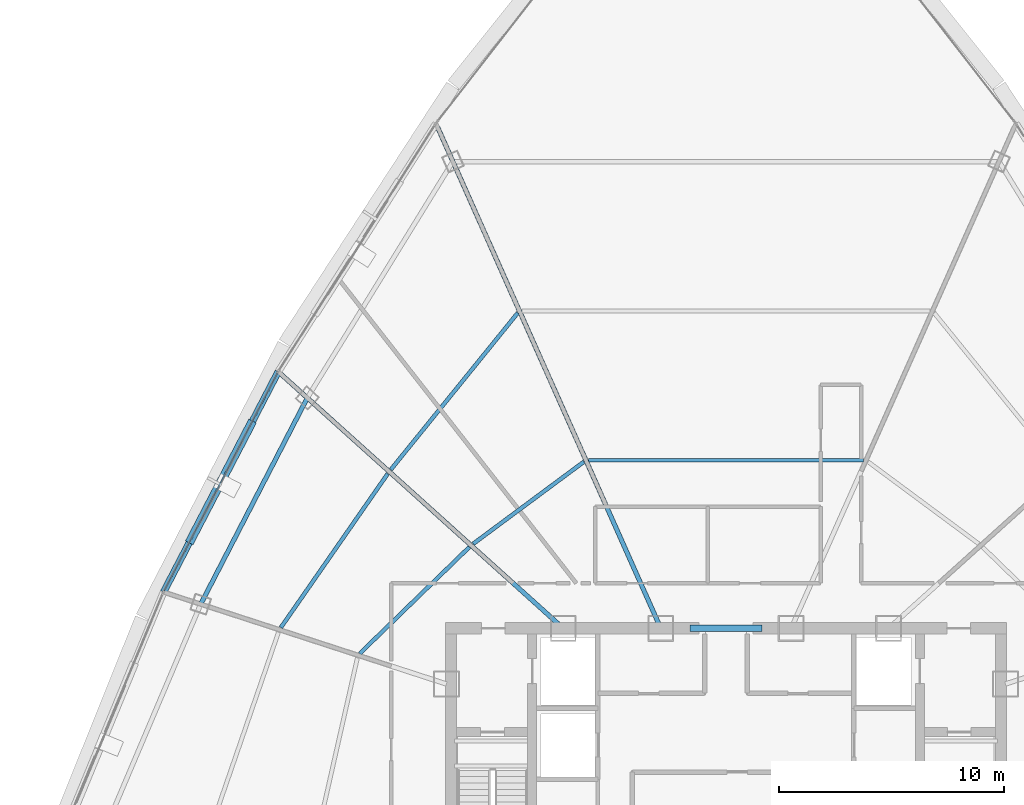
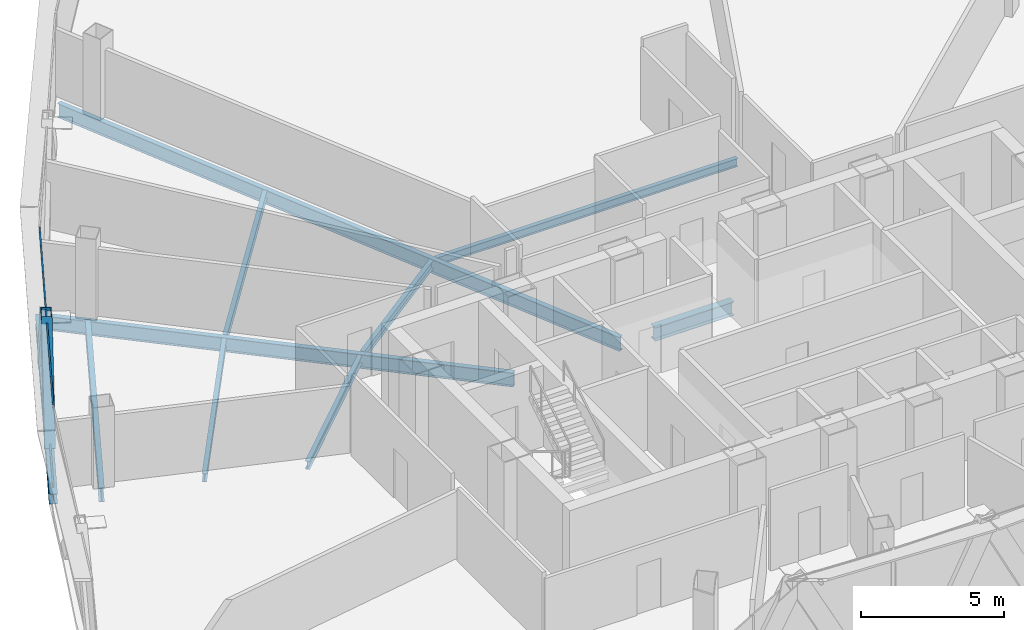
# One storey, part 9 of 33: 10 beams, 4 members, 1 element without a shape of its own.
"""IFC4 building model written with IfcOpenShell, lengths in metres."""

from ifc_helpers import new_model, si_unit, direction, frame, origin, origin_2d, place, context, subcontext, project, spatial, hollow_rectangle, i_section, extrude, source, transform, mapped, material, layer, layer_set, material_profile, profile_set, type_object, element, aggregate, save


model = new_model("IFC4")

# Units and contexts
model_context = context("Model", 3, precision=1e-05, world=origin(), true_north=direction((0.0, 1.0)))
body_context = subcontext(model_context, "Body", "Model", "MODEL_VIEW")
ifc_project = project(units=[si_unit("LENGTHUNIT", "METRE"), si_unit("AREAUNIT", "SQUARE_METRE"), si_unit("VOLUMEUNIT", "CUBIC_METRE"), si_unit("PLANEANGLEUNIT", "RADIAN"), si_unit("MASSUNIT", "GRAM", prefix="KILO"), si_unit("THERMODYNAMICTEMPERATUREUNIT", "KELVIN"), si_unit("POWERUNIT", "WATT")], contexts=[model_context])

# Site, building, storey
site_placement = place(None, origin())
site = spatial("IfcSite", under=ifc_project, at=site_placement, CompositionType="ELEMENT")
building_placement = place(site_placement, origin())
building = spatial("IfcBuilding", under=site, at=building_placement, Name="Yunzhuo Pagoda Commons", CompositionType="ELEMENT")
storey_placement = place(building_placement, frame((0.0, 0.0, 307.39990234375)))
storey = spatial("IfcBuildingStorey", under=building, at=storey_placement, Name="L77", CompositionType="ELEMENT", Elevation=307.39990234375)

# Beams
ifc_material_1 = material(Name="Structural steel Q420B", Category="steel")
ifc_material_profile_1 = material_profile(ifc_material_1, i_section(OverallWidth=0.300048828125, OverallDepth=0.587890625, WebThickness=0.011962890625, FlangeThickness=0.02001953125, at=origin_2d()), Name="Structural steel Q420B")
ifc_profile_set_1 = profile_set([ifc_material_profile_1], Name="Structural steel Q420B")
beam_type_1 = type_object("IfcBeamType", Name="B-CPL Beam HM 588x300x12x20", PredefinedType="BEAM", material=ifc_profile_set_1)
shared_shape_1 = source(origin(), body_context, "Body", "SweptSolid", [
    extrude(i_section(OverallWidth=0.300048828125, OverallDepth=0.587890625, WebThickness=0.011962890625, FlangeThickness=0.02001953125, at=origin_2d()), origin(), (0.0, 0.0, 1.0), 3.2001953125),
])
beam_1_placement = place(storey_placement, frame((46.39990234375, 40.199951171875, -0.553955078125), z_axis=(1.0, 0.0, 0.0), x_axis=(0.0, 1.0, 0.0)))
element("IfcBeam", 1, at=beam_1_placement, inside=storey, type_object=beam_type_1, Name="L77 core coupling girder", PredefinedType="BEAM", context=body_context, shape_type="MappedRepresentation", body=[
    mapped(shared_shape_1, transform((0.0, 0.0, 0.0), scale=1.0)),
])
ifc_material_2 = material(Name="Structural steel Q355B", Category="steel")
ifc_material_profile_2 = material_profile(ifc_material_2, i_section(OverallWidth=0.199951171875, OverallDepth=0.60009765625, WebThickness=0.010986328125, FlangeThickness=0.01708984375, at=origin_2d()), Name="Structural steel Q355B")
ifc_profile_set_2 = profile_set([ifc_material_profile_2], Name="Structural steel Q355B")
beam_type_2 = type_object("IfcBeamType", Name="B-RG3 Beam HN 600x200x11x17", PredefinedType="BEAM", material=ifc_profile_set_2)
shared_shape_2 = source(origin(), body_context, "Body", "SweptSolid", [
    extrude(i_section(OverallWidth=0.199951171875, OverallDepth=0.60009765625, WebThickness=0.010986328125, FlangeThickness=0.01708984375, at=origin_2d()), origin(), (0.0, 0.0, 1.0), 10.3017578125),
])
beam_2_placement = place(storey_placement, frame((29.4267578125, 50.423583984375, -0.559814453125), z_axis=(-0.459070867827, -0.888399650108, 0.0), x_axis=(0.888399650108, -0.459070867827, 0.0)))
element("IfcBeam", 2, at=beam_2_placement, inside=storey, type_object=beam_type_2, Name="L77 column-ring beam 10", PredefinedType="BEAM", context=body_context, shape_type="MappedRepresentation", body=[
    mapped(shared_shape_2, transform((0.0, 0.0, 0.0), scale=1.0)),
])
ifc_material_profile_3 = material_profile(ifc_material_2, i_section(OverallWidth=0.175048828125, OverallDepth=0.35009765625, WebThickness=0.007080078125, FlangeThickness=0.010986328125, at=origin_2d()), Name="Structural steel Q355B")
ifc_profile_set_3 = profile_set([ifc_material_profile_3], Name="Structural steel Q355B")
beam_type_3 = type_object("IfcBeamType", Name="B-JS2 Joist HN 350x175x7x11", PredefinedType="JOIST", material=ifc_profile_set_3)
shared_shape_3 = source(origin(), body_context, "Body", "SweptSolid", [
    extrude(i_section(OverallWidth=0.175048828125, OverallDepth=0.35009765625, WebThickness=0.007080078125, FlangeThickness=0.010986328125, at=origin_2d()), origin(), (0.0, 0.0, 1.0), 6.767333984375),
])
beam_3_placement = place(storey_placement, frame((36.611083984375, 43.80029296875, -0.434814453125), z_axis=(-0.717207253673, -0.696859925149, 0.0), x_axis=(0.696859925149, -0.717207253673, 0.0)))
element("IfcBeam", 3, at=beam_3_placement, inside=storey, type_object=beam_type_3, Name="L77 composite ring joist 1.10", PredefinedType="JOIST", context=body_context, shape_type="MappedRepresentation", body=[
    mapped(shared_shape_3, transform((0.0, 0.0, 0.0), scale=1.0)),
])
shared_shape_4 = source(origin(), body_context, "Body", "SweptSolid", [
    extrude(i_section(OverallWidth=0.175048828125, OverallDepth=0.35009765625, WebThickness=0.007080078125, FlangeThickness=0.010986328125, at=origin_2d()), origin(), (0.0, 0.0, 1.0), 8.31103515625),
])
beam_4_placement = place(storey_placement, frame((32.994384765625, 47.0576171875, -0.434814453125), z_axis=(-0.570615989364, -0.821217019236, 0.0), x_axis=(0.821217019236, -0.570615989364, 0.0)))
element("IfcBeam", 4, at=beam_4_placement, inside=storey, type_object=beam_type_3, Name="L77 composite ring joist 2.10", PredefinedType="JOIST", context=body_context, shape_type="MappedRepresentation", body=[
    mapped(shared_shape_4, transform((0.0, 0.0, 0.0), scale=1.0)),
])
shared_shape_5 = source(origin(), body_context, "Body", "SweptSolid", [
    extrude(i_section(OverallWidth=0.175048828125, OverallDepth=0.35009765625, WebThickness=0.007080078125, FlangeThickness=0.010986328125, at=origin_2d()), origin(), (0.0, 0.0, 1.0), 6.109619140625),
])
beam_5_placement = place(storey_placement, frame((41.6943359375, 47.5869140625, -0.434814453125), z_axis=(-0.803396474468, -0.595444459888, 0.0), x_axis=(0.595444459888, -0.803396474468, 0.0)))
element("IfcBeam", 5, at=beam_5_placement, inside=storey, type_object=beam_type_3, Name="L77 composite ring joist 1.9", PredefinedType="JOIST", context=body_context, shape_type="MappedRepresentation", body=[
    mapped(shared_shape_5, transform((0.0, 0.0, 0.0), scale=1.0)),
])
shared_shape_6 = source(origin(), body_context, "Body", "SweptSolid", [
    extrude(i_section(OverallWidth=0.175048828125, OverallDepth=0.35009765625, WebThickness=0.007080078125, FlangeThickness=0.010986328125, at=origin_2d()), origin(), (0.0, 0.0, 1.0), 8.9462890625),
])
beam_6_placement = place(storey_placement, frame((38.763916015625, 54.19287109375, -0.434814453125), z_axis=(-0.629455685791, -0.777036382434, 0.0), x_axis=(0.777036382434, -0.629455685791, 0.0)))
element("IfcBeam", 6, at=beam_6_placement, inside=storey, type_object=beam_type_3, Name="L77 composite ring joist 2.9", PredefinedType="JOIST", context=body_context, shape_type="MappedRepresentation", body=[
    mapped(shared_shape_6, transform((0.0, 0.0, 0.0), scale=1.0)),
])
shared_shape_7 = source(origin(), body_context, "Body", "SweptSolid", [
    extrude(i_section(OverallWidth=0.175048828125, OverallDepth=0.35009765625, WebThickness=0.007080078125, FlangeThickness=0.010986328125, at=origin_2d()), origin(), (0.0, 0.0, 1.0), 12.19677734375),
])
beam_7_placement = place(storey_placement, frame((54.098388671875, 47.6552734375, -0.434814453125), z_axis=(-1.0, 0.0, 0.0), x_axis=(0.0, -1.0, 0.0)))
element("IfcBeam", 7, at=beam_7_placement, inside=storey, type_object=beam_type_3, Name="L77 composite ring joist 1.8", PredefinedType="JOIST", context=body_context, shape_type="MappedRepresentation", body=[
    mapped(shared_shape_7, transform((0.0, 0.0, 0.0), scale=1.0)),
])
shared_shape_8 = source(origin(), body_context, "Body", "SweptSolid", [
    extrude(i_section(OverallWidth=0.199951171875, OverallDepth=0.60009765625, WebThickness=0.010986328125, FlangeThickness=0.01708984375, at=origin_2d()), origin(), (0.0, 0.0, 1.0), 16.859619140625),
])
beam_8_placement = place(storey_placement, frame((28.251953125, 51.481201171875, -0.559814453125), z_axis=(0.743143638424, -0.669131924712, 0.0), x_axis=(0.669131924712, 0.743143638424, 0.0)))
element("IfcBeam", 8, at=beam_8_placement, inside=storey, type_object=beam_type_2, Name="L77 radial floor girder F3C2", PredefinedType="BEAM", context=body_context, shape_type="MappedRepresentation", body=[
    mapped(shared_shape_8, transform((0.0, 0.0, 0.0), scale=1.0)),
])
shared_shape_9 = source(origin(), body_context, "Body", "SweptSolid", [
    extrude(i_section(OverallWidth=0.199951171875, OverallDepth=0.60009765625, WebThickness=0.010986328125, FlangeThickness=0.01708984375, at=origin_2d()), origin(), (0.0, 0.0, 1.0), 24.3583984375),
])
beam_9_placement = place(storey_placement, frame((35.198486328125, 62.452392578125, -0.559814453125), z_axis=(0.406738200999, -0.913544764009, 0.0), x_axis=(0.913544764009, 0.406738200999, 0.0)))
element("IfcBeam", 9, at=beam_9_placement, inside=storey, type_object=beam_type_2, Name="L77 radial floor girder F3C1", PredefinedType="BEAM", context=body_context, shape_type="MappedRepresentation", body=[
    mapped(shared_shape_9, transform((0.0, 0.0, 0.0), scale=1.0)),
])
ifc_material_profile_4 = material_profile(ifc_material_2, i_section(OverallWidth=0.300048828125, OverallDepth=0.43994140625, WebThickness=0.010986328125, FlangeThickness=0.01806640625, at=origin_2d()), Name="Structural steel Q355B")
ifc_profile_set_4 = profile_set([ifc_material_profile_4], Name="Structural steel Q355B")
beam_type_4 = type_object("IfcBeamType", Name="B-SP2 Beam HM 440x300x11x18", PredefinedType="BEAM", material=ifc_profile_set_4)
shared_shape_10 = source(origin(), body_context, "Body", "SweptSolid", [
    extrude(i_section(OverallWidth=0.300048828125, OverallDepth=0.43994140625, WebThickness=0.010986328125, FlangeThickness=0.01806640625, at=origin_2d()), origin(), (0.0, 0.0, 1.0), 11.022216796875),
])
beam_10_placement = place(storey_placement, frame((28.13671875, 51.5849609375, -0.47998046875), z_axis=(-0.461491516084, -0.887144622135, 0.0), x_axis=(0.887144622135, -0.461491516084, 0.0)))
element("IfcBeam", 10, at=beam_10_placement, inside=storey, type_object=beam_type_4, Name="L77 facade edge spandrel beam F3.2", PredefinedType="BEAM", context=body_context, shape_type="MappedRepresentation", body=[
    mapped(shared_shape_10, transform((0.0, 0.0, 0.0), scale=1.0)),
])

# Members
ifc_material_profile_5 = material_profile(ifc_material_2, hollow_rectangle(XDim=0.3798828125, YDim=0.719970703125, WallThickness=0.02001953125, at=origin_2d()), Name="Structural steel Q355B")
ifc_profile_set_5 = profile_set([ifc_material_profile_5], Name="Structural steel Q355B")
member_type_1 = type_object("IfcMemberType", Name="M-DL3 Brace BOX 720x380x20", PredefinedType="BRACE", material=ifc_profile_set_5)
shared_shape_11 = source(origin(), body_context, "Body", "SweptSolid", [
    extrude(hollow_rectangle(XDim=0.3798828125, YDim=0.719970703125, WallThickness=0.02001953125, at=origin_2d()), origin(), (0.0, 0.0, 1.0), 4.6376953125),
])
for number, where, z_axis, x_axis, name in (
    (11, (26.864990234375, 49.140380859375, -0.260009765625), (-0.274169341971, -0.527123199146, 0.804345886323), (0.887171826483, -0.461439216251, 0.0), "L77 facade diamond brace F3.2L"),
    (12, (24.32177734375, 44.251220703125, -0.260009765625), (0.274218027621, 0.527115590433, 0.804334276063), (-0.887135553704, 0.461508948292, 0.0), "L77 facade diamond brace F3.2R"),
):
    element("IfcMember", number, at=place(storey_placement, frame(where, z_axis=z_axis, x_axis=x_axis)), inside=storey, type_object=member_type_1, Name=name, PredefinedType="BRACE", context=body_context, shape_type="MappedRepresentation", body=[
        mapped(shared_shape_11, transform((0.0, 0.0, 0.0), scale=1.0)),
    ])

# Curtain wall, members
ifc_material_3 = material(Name="Anodized aluminium 6063-T6", Category="aluminium")
ifc_layer = layer(ifc_material_3, 0.139892578125)
ifc_layer_set = layer_set([ifc_layer], Name="Anodized aluminium 6063-T6")
curtain_wall_type = type_object("IfcCurtainWallType", Name="CW-HI High-Zone Ribbon Curtain Wall", PredefinedType="NOTDEFINED", material=ifc_layer_set)
curtain_wall_placement = place(storey_placement, origin())
curtain_wall = element("IfcCurtainWall", 13, at=curtain_wall_placement, inside=storey, type_object=curtain_wall_type, Name="L77 curtain wall CW-L77-F3B3", PredefinedType="NOTDEFINED")
ifc_material_profile_6 = material_profile(ifc_material_3, hollow_rectangle(XDim=0.054931640625, YDim=0.1201171875, WallThickness=0.00341796875, at=origin_2d()), Name="Anodized aluminium 6063-T6")
ifc_profile_set_6 = profile_set([ifc_material_profile_6], Name="Anodized aluminium 6063-T6")
member_type_2 = type_object("IfcMemberType", Name="CW-HI-T Transom RHS 120x55x3.5", PredefinedType="USERDEFINED", material=ifc_profile_set_6)
shared_shape_12 = source(origin(), body_context, "Body", "SweptSolid", [
    extrude(hollow_rectangle(XDim=0.054931640625, YDim=0.1201171875, WallThickness=0.00341796875, at=origin_2d()), origin(), (0.0, 0.0, 1.0), 10.90234375),
])
member_1_placement = place(storey_placement, frame((28.109130859375, 51.53173828125, 0.027587890625), z_axis=(-0.461505732597, -0.887137226578, 0.0), x_axis=(0.887137226578, -0.461505732597, 0.0)))
member_1 = element("IfcMember", 14, at=member_1_placement, type_object=member_type_2, Name="CW transom 1.1", ObjectType="TRANSOM", PredefinedType="USERDEFINED", context=body_context, shape_type="MappedRepresentation", body=[
    mapped(shared_shape_12, transform((0.0, 0.0, 0.0), scale=1.0)),
])
member_2_placement = place(storey_placement, frame((28.109130859375, 51.53173828125, 3.442626953125), z_axis=(-0.461505732597, -0.887137226578, 0.0), x_axis=(0.887137226578, -0.461505732597, 0.0)))
member_2 = element("IfcMember", 15, at=member_2_placement, type_object=member_type_2, Name="CW transom 1.2", ObjectType="TRANSOM", PredefinedType="USERDEFINED", context=body_context, shape_type="MappedRepresentation", body=[
    mapped(shared_shape_12, transform((0.0, 0.0, 0.0), scale=1.0)),
])
aggregate(curtain_wall, [member_1, member_2])

save(model, "model.ifc")
